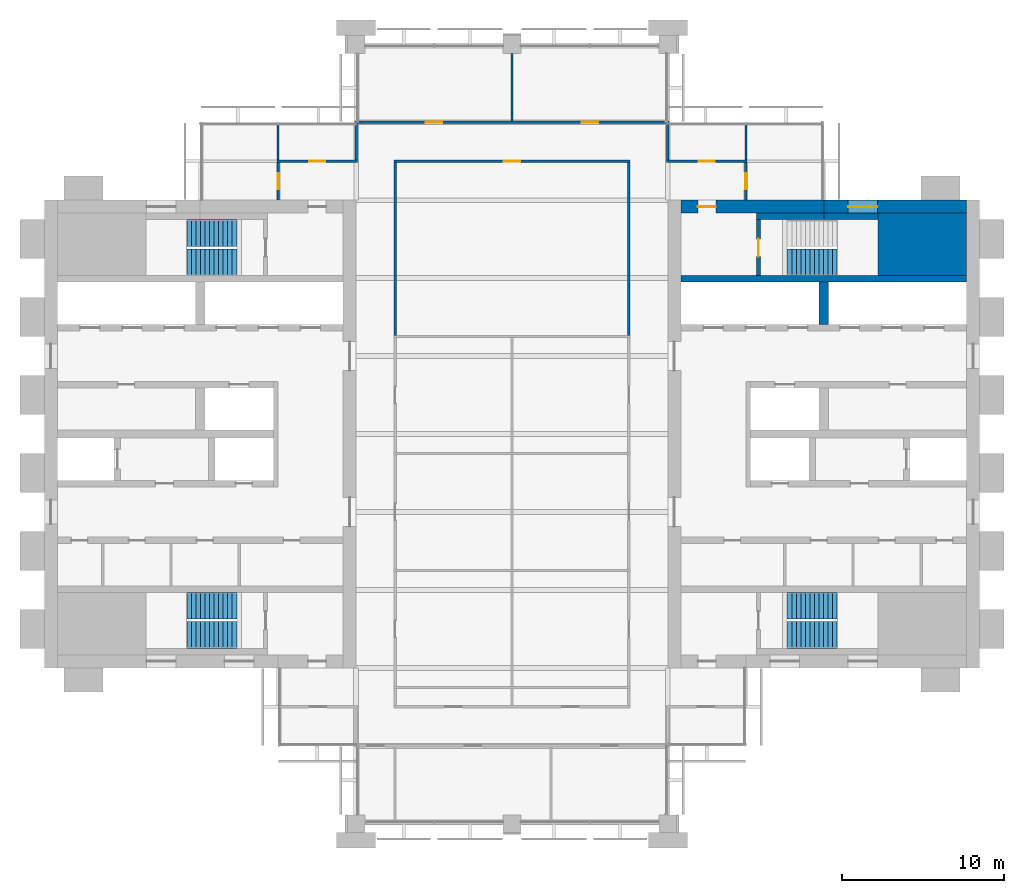
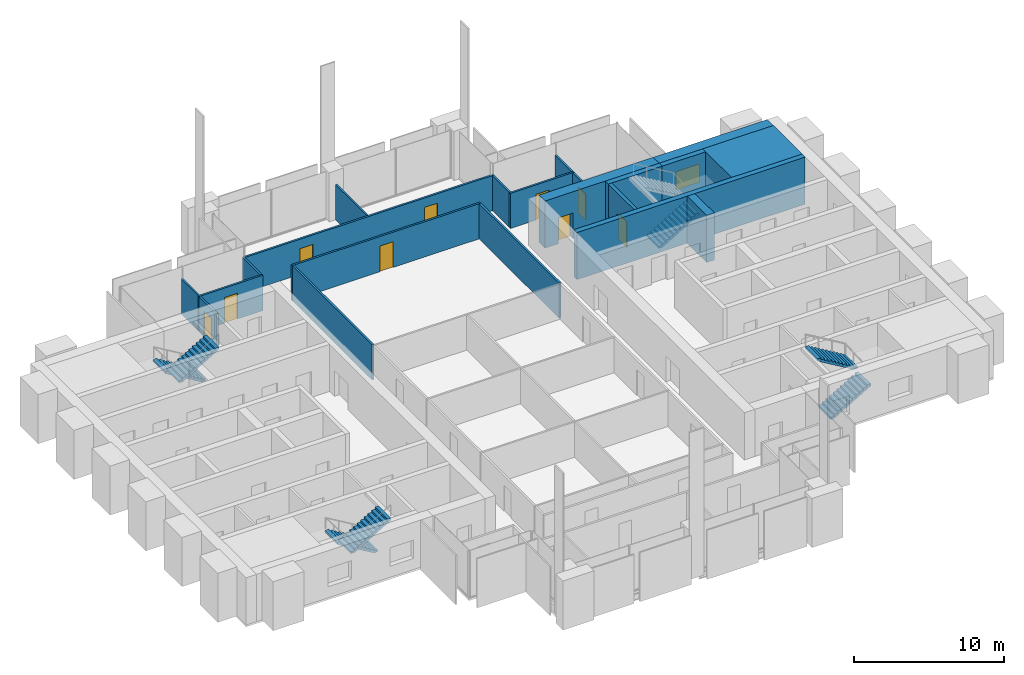
# One storey, part 11 of 13: 21 walls, 9 doors, 7 stair flights, 1 window, 10 openings, 4 elements without a shape of their own.
"""IFC4 building model written with IfcOpenShell, lengths in metres."""

from ifc_helpers import new_model, si_unit, direction, frame, frame_2d, origin, place, context, subcontext, project, spatial, polyline, rectangle, outline, extrude, material, layer, layer_set, type_object, element, fill, aggregate, save


model = new_model("IFC4")

# Units and contexts
model_context = context("Model", 3, precision=1e-05, world=origin(), true_north=direction((0.0, 1.0)))
body_context = subcontext(model_context, "Body", "Model", "MODEL_VIEW")
ifc_project = project(units=[si_unit("LENGTHUNIT", "METRE"), si_unit("AREAUNIT", "SQUARE_METRE"), si_unit("VOLUMEUNIT", "CUBIC_METRE"), si_unit("PLANEANGLEUNIT", "RADIAN"), si_unit("MASSUNIT", "GRAM", prefix="KILO")], contexts=[model_context])

# Site, building, storey
site_placement = place(None, origin())
site = spatial("IfcSite", under=ifc_project, at=site_placement, CompositionType="ELEMENT")
building_placement = place(site_placement, origin())
building = spatial("IfcBuilding", under=site, at=building_placement, Name="Baori Bourse Tower", CompositionType="ELEMENT")
storey_placement = place(building_placement, frame((0.0, 0.0, 237.199951171875)))
storey = spatial("IfcBuildingStorey", under=building, at=storey_placement, Name="L52", CompositionType="ELEMENT", Elevation=237.199951171875)

# Wall
ifc_material_1 = material(Name="Concrete f'c 50 MPa", Category="concrete")
wall_type_1 = type_object("IfcWallType", Name="Core corner block f'c 50", PredefinedType="SHEAR", material=ifc_material_1)
wall_1_placement = place(storey_placement, frame((51.35009765625, 35.675048828125, 0.0), z_axis=(0.0, 0.0, 1.0), x_axis=(1.0, 0.0, 0.0)))
element("IfcWall", 1, at=wall_1_placement, inside=storey, type_object=wall_type_1, Name="Core wall E23", PredefinedType="SHEAR", context=body_context, shape_type="SweptSolid", body=[
    extrude(rectangle(XDim=5.449951171875, YDim=3.85009765625, at=frame_2d((2.72509765625, 0.0))), origin(), (0.0, 0.0, 1.0), 3.840087890625),
])

# Wall, opening, window
ifc_material_2 = material(Name="Concrete f'c 50 MPa", Category="concrete")
ifc_layer_1 = layer(ifc_material_2, 0.800048828125)
ifc_layer_set_1 = layer_set([ifc_layer_1], Name="Core wall 800 f'c 50")
wall_type_2 = type_object("IfcWallType", Name="Core wall 800 f'c 50", PredefinedType="SHEAR", material=ifc_layer_set_1)
wall_2_placement = place(storey_placement, frame((48.0, 38.0, 0.0), z_axis=(0.0, 0.0, 1.0), x_axis=(1.0, 0.0, 0.0)))
wall_2 = element("IfcWall", 2, at=wall_2_placement, inside=storey, type_object=wall_type_2, Name="Core wall E27", PredefinedType="SHEAR", context=body_context, shape_type="SweptSolid", body=[
    extrude(rectangle(XDim=8.800048828125, YDim=0.800048828125, at=frame_2d((4.39990234375, 0.0))), origin(), (0.0, 0.0, 1.0), 3.840087890625),
])
opening_1_placement = place(wall_2_placement, frame((1.5, 0.0, 0.89990234375)))
opening_1 = element("IfcOpeningElement", 3, at=opening_1_placement, cuts=wall_2, Name="Opening L52-KW205", PredefinedType="OPENING", context=body_context, shape_type="SweptSolid", body=[
    extrude(rectangle(XDim=1.800048828125, YDim=1.5, at=frame_2d((0.89990234375, 0.75))), frame((0.0, 0.409912109375, 0.0), z_axis=(0.0, -1.0, 0.0), x_axis=(1.0, 0.0, 0.0)), (0.0, 0.0, 1.0), 0.820068359375),
])
ifc_material_3 = material(Name="Pale anodised aluminium", Category="aluminium")
window_type = type_object("IfcWindowType", Name="Stair window 1800 x 1500", PartitioningType="SINGLE_PANEL", PredefinedType="WINDOW", material=ifc_material_3)
window_placement = place(opening_1_placement, origin())
window = element("IfcWindow", 4, at=window_placement, inside=storey, type_object=window_type, Name="Stair window E L52 5", OverallHeight=1.5, OverallWidth=1.800048828125, PartitioningType="SINGLE_PANEL", PredefinedType="WINDOW", context=body_context, shape_type="SweptSolid", body=[
    extrude(rectangle(XDim=1.800048828125, YDim=1.5, at=frame_2d((0.89990234375, 0.75))), frame((0.0, 0.030029296875, 0.0), z_axis=(0.0, -1.0, 0.0), x_axis=(1.0, 0.0, 0.0)), (0.0, 0.0, 1.0), 0.06005859375),
])
fill(opening_1, window)

# Wall, opening, door
wall_3_placement = place(storey_placement, frame((39.199951171875, 38.0, 0.0), z_axis=(0.0, 0.0, 1.0), x_axis=(1.0, 0.0, 0.0)))
wall_3 = element("IfcWall", 5, at=wall_3_placement, inside=storey, type_object=wall_type_2, Name="Core wall E28", PredefinedType="SHEAR", context=body_context, shape_type="SweptSolid", body=[
    extrude(rectangle(XDim=8.800048828125, YDim=0.800048828125, at=frame_2d((4.39990234375, 0.0))), origin(), (0.0, 0.0, 1.0), 3.840087890625),
])
opening_2_placement = place(wall_3_placement, frame((1.050048828125, 0.0, 0.0)))
opening_2 = element("IfcOpeningElement", 6, at=opening_2_placement, cuts=wall_3, Name="Opening L52-D204", PredefinedType="OPENING", context=body_context, shape_type="SweptSolid", body=[
    extrude(rectangle(XDim=1.10009765625, YDim=2.10009765625, at=frame_2d((0.550048828125, 1.050048828125))), frame((0.0, 0.409912109375, 0.0), z_axis=(0.0, -1.0, 0.0), x_axis=(1.0, 0.0, 0.0)), (0.0, 0.0, 1.0), 0.820068359375),
])
ifc_material_4 = material(Name="Painted steel door", Category="steel")
door_type_1 = type_object("IfcDoorType", Name="Stair door 1100", OperationType="SINGLE_SWING_LEFT", PredefinedType="DOOR", material=ifc_material_4)
door_1_placement = place(opening_2_placement, origin())
door_1 = element("IfcDoor", 7, at=door_1_placement, inside=storey, type_object=door_type_1, Name="Stair vestibule door B E L52", OperationType="SINGLE_SWING_LEFT", OverallHeight=2.10009765625, OverallWidth=1.10009765625, PredefinedType="DOOR", context=body_context, shape_type="SweptSolid", body=[
    extrude(rectangle(XDim=1.10009765625, YDim=2.10009765625, at=frame_2d((0.550048828125, 1.050048828125))), frame((0.0, 0.02490234375, 0.0), z_axis=(0.0, -1.0, 0.0), x_axis=(1.0, 0.0, 0.0)), (0.0, 0.0, 1.0), 0.050048828125),
])
fill(opening_2, door_1)

ifc_material_5 = material(Name="Gypsum board partition")
ifc_layer_2 = layer(ifc_material_5, 0.14990234375)
ifc_layer_set_2 = layer_set([ifc_layer_2], Name="Corridor partition 150")
wall_type_3 = type_object("IfcWallType", Name="Corridor partition 150", PredefinedType="PARTITIONING", material=ifc_layer_set_2)
wall_4_placement = place(storey_placement, frame((14.324951171875, 40.800048828125, 0.0), z_axis=(0.0, 0.0, 1.0), x_axis=(1.0, 0.0, 0.0)))
wall_4 = element("IfcWall", 8, at=wall_4_placement, inside=storey, type_object=wall_type_3, Name="Partition", PredefinedType="PARTITIONING", context=body_context, shape_type="SweptSolid", body=[
    extrude(rectangle(XDim=4.949951171875, YDim=0.14990234375, at=frame_2d((2.47509765625, 0.0))), origin(), (0.0, 0.0, 1.0), 2.869873046875),
])
opening_3_placement = place(wall_4_placement, frame((1.97509765625, 0.0, 0.0)))
opening_3 = element("IfcOpeningElement", 9, at=opening_3_placement, cuts=wall_4, Name="Opening L52-D08", PredefinedType="OPENING", context=body_context, shape_type="SweptSolid", body=[
    extrude(rectangle(XDim=1.0, YDim=2.10009765625, at=frame_2d((0.5, 1.050048828125))), frame((0.0, 0.0849609375, 0.0), z_axis=(0.0, -1.0, 0.0), x_axis=(1.0, 0.0, 0.0)), (0.0, 0.0, 1.0), 0.169921875),
])
ifc_material_6 = material(Name="Timber door leaf", Category="wood")
door_type_2 = type_object("IfcDoorType", Name="Door 1000 x 2100", OperationType="SINGLE_SWING_LEFT", PredefinedType="DOOR", material=ifc_material_6)
door_2_placement = place(opening_3_placement, origin())
door_2 = element("IfcDoor", 10, at=door_2_placement, inside=storey, type_object=door_type_2, Name="Door", OperationType="SINGLE_SWING_LEFT", OverallHeight=2.10009765625, OverallWidth=1.0, PredefinedType="DOOR", context=body_context, shape_type="SweptSolid", body=[
    extrude(rectangle(XDim=1.0, YDim=2.10009765625, at=frame_2d((0.5, 1.050048828125))), frame((0.0, 0.02490234375, 0.0), z_axis=(0.0, -1.0, 0.0), x_axis=(1.0, 0.0, 0.0)), (0.0, 0.0, 1.0), 0.050048828125),
])
fill(opening_3, door_2)

wall_5_placement = place(storey_placement, frame((21.52490234375, 40.800048828125, 0.0), z_axis=(0.0, 0.0, 1.0), x_axis=(1.0, 0.0, 0.0)))
wall_5 = element("IfcWall", 11, at=wall_5_placement, inside=storey, type_object=wall_type_3, Name="Partition", PredefinedType="PARTITIONING", context=body_context, shape_type="SweptSolid", body=[
    extrude(rectangle(XDim=14.550048828125, YDim=0.14990234375, at=frame_2d((7.27490234375, 0.0))), origin(), (0.0, 0.0, 1.0), 2.869873046875),
])
opening_4_placement = place(wall_5_placement, frame((6.77490234375, 0.0, 0.0)))
opening_4 = element("IfcOpeningElement", 12, at=opening_4_placement, cuts=wall_5, Name="Opening L52-D09", PredefinedType="OPENING", context=body_context, shape_type="SweptSolid", body=[
    extrude(rectangle(XDim=1.0, YDim=2.10009765625, at=frame_2d((0.5, 1.050048828125))), frame((0.0, 0.0849609375, 0.0), z_axis=(0.0, -1.0, 0.0), x_axis=(1.0, 0.0, 0.0)), (0.0, 0.0, 1.0), 0.169921875),
])
door_3_placement = place(opening_4_placement, origin())
door_3 = element("IfcDoor", 13, at=door_3_placement, inside=storey, type_object=door_type_2, Name="Door", OperationType="SINGLE_SWING_LEFT", OverallHeight=2.10009765625, OverallWidth=1.0, PredefinedType="DOOR", context=body_context, shape_type="SweptSolid", body=[
    extrude(rectangle(XDim=1.0, YDim=2.10009765625, at=frame_2d((0.5, 1.050048828125))), frame((0.0, 0.02490234375, 0.0), z_axis=(0.0, -1.0, 0.0), x_axis=(1.0, 0.0, 0.0)), (0.0, 0.0, 1.0), 0.050048828125),
])
fill(opening_4, door_3)

wall_6_placement = place(storey_placement, frame((38.324951171875, 40.800048828125, 0.0), z_axis=(0.0, 0.0, 1.0), x_axis=(1.0, 0.0, 0.0)))
wall_6 = element("IfcWall", 14, at=wall_6_placement, inside=storey, type_object=wall_type_3, Name="Partition", PredefinedType="PARTITIONING", context=body_context, shape_type="SweptSolid", body=[
    extrude(rectangle(XDim=4.949951171875, YDim=0.14990234375, at=frame_2d((2.47509765625, 0.0))), origin(), (0.0, 0.0, 1.0), 2.869873046875),
])
opening_5_placement = place(wall_6_placement, frame((1.97509765625, 0.0, 0.0)))
opening_5 = element("IfcOpeningElement", 15, at=opening_5_placement, cuts=wall_6, Name="Opening L52-D10", PredefinedType="OPENING", context=body_context, shape_type="SweptSolid", body=[
    extrude(rectangle(XDim=1.0, YDim=2.10009765625, at=frame_2d((0.5, 1.050048828125))), frame((0.0, 0.0849609375, 0.0), z_axis=(0.0, -1.0, 0.0), x_axis=(1.0, 0.0, 0.0)), (0.0, 0.0, 1.0), 0.169921875),
])
door_4_placement = place(opening_5_placement, origin())
door_4 = element("IfcDoor", 16, at=door_4_placement, inside=storey, type_object=door_type_2, Name="Door", OperationType="SINGLE_SWING_RIGHT", OverallHeight=2.10009765625, OverallWidth=1.0, PredefinedType="DOOR", context=body_context, shape_type="SweptSolid", body=[
    extrude(rectangle(XDim=1.0, YDim=2.10009765625, at=frame_2d((0.5, 1.050048828125))), frame((0.0, 0.02490234375, 0.0), z_axis=(0.0, -1.0, 0.0), x_axis=(1.0, 0.0, 0.0)), (0.0, 0.0, 1.0), 0.050048828125),
])
fill(opening_5, door_4)

# Wall, openings, doors
wall_7_placement = place(storey_placement, frame((19.125, 43.199951171875, 0.0), z_axis=(0.0, 0.0, 1.0), x_axis=(1.0, 0.0, 0.0)))
wall_7 = element("IfcWall", 17, at=wall_7_placement, inside=storey, type_object=wall_type_3, Name="Partition", PredefinedType="PARTITIONING", context=body_context, shape_type="SweptSolid", body=[
    extrude(rectangle(XDim=19.35009765625, YDim=0.14990234375, at=frame_2d((9.675048828125, 0.0))), origin(), (0.0, 0.0, 1.0), 2.869873046875),
])
opening_6_placement = place(wall_7_placement, frame((4.375, 0.0, 0.0)))
opening_6 = element("IfcOpeningElement", 18, at=opening_6_placement, cuts=wall_7, Name="Opening L52-D11", PredefinedType="OPENING", context=body_context, shape_type="SweptSolid", body=[
    extrude(rectangle(XDim=1.0, YDim=2.10009765625, at=frame_2d((0.5, 1.050048828125))), frame((0.0, 0.0849609375, 0.0), z_axis=(0.0, -1.0, 0.0), x_axis=(1.0, 0.0, 0.0)), (0.0, 0.0, 1.0), 0.169921875),
])
opening_7_placement = place(wall_7_placement, frame((13.97509765625, 0.0, 0.0)))
opening_7 = element("IfcOpeningElement", 19, at=opening_7_placement, cuts=wall_7, Name="Opening L52-D12", PredefinedType="OPENING", context=body_context, shape_type="SweptSolid", body=[
    extrude(rectangle(XDim=1.0, YDim=2.10009765625, at=frame_2d((0.5, 1.050048828125))), frame((0.0, 0.0849609375, 0.0), z_axis=(0.0, -1.0, 0.0), x_axis=(1.0, 0.0, 0.0)), (0.0, 0.0, 1.0), 0.169921875),
])
door_5_placement = place(opening_6_placement, origin())
door_5 = element("IfcDoor", 20, at=door_5_placement, inside=storey, type_object=door_type_2, Name="Door", OperationType="SINGLE_SWING_RIGHT", OverallHeight=2.10009765625, OverallWidth=1.0, PredefinedType="DOOR", context=body_context, shape_type="SweptSolid", body=[
    extrude(rectangle(XDim=1.0, YDim=2.10009765625, at=frame_2d((0.5, 1.050048828125))), frame((0.0, 0.02490234375, 0.0), z_axis=(0.0, -1.0, 0.0), x_axis=(1.0, 0.0, 0.0)), (0.0, 0.0, 1.0), 0.050048828125),
])
fill(opening_6, door_5)
door_6_placement = place(opening_7_placement, origin())
door_6 = element("IfcDoor", 21, at=door_6_placement, inside=storey, type_object=door_type_2, Name="Door", OperationType="SINGLE_SWING_LEFT", OverallHeight=2.10009765625, OverallWidth=1.0, PredefinedType="DOOR", context=body_context, shape_type="SweptSolid", body=[
    extrude(rectangle(XDim=1.0, YDim=2.10009765625, at=frame_2d((0.5, 1.050048828125))), frame((0.0, 0.02490234375, 0.0), z_axis=(0.0, -1.0, 0.0), x_axis=(1.0, 0.0, 0.0)), (0.0, 0.0, 1.0), 0.050048828125),
])
fill(opening_7, door_6)

# Wall, opening, door
wall_8_placement = place(storey_placement, frame((14.39990234375, 38.39990234375, 0.0), z_axis=(0.0, 0.0, 1.0), x_axis=(0.0, 1.0, 0.0)))
wall_8 = element("IfcWall", 22, at=wall_8_placement, inside=storey, type_object=wall_type_3, Name="Partition", PredefinedType="PARTITIONING", context=body_context, shape_type="SweptSolid", body=[
    extrude(rectangle(XDim=2.3251953125, YDim=0.14990234375, at=frame_2d((1.16259765625, 0.0))), origin(), (0.0, 0.0, 1.0), 2.869873046875),
])
opening_8_placement = place(wall_8_placement, frame((0.66259765625, 0.0, 0.0)))
opening_8 = element("IfcOpeningElement", 23, at=opening_8_placement, cuts=wall_8, Name="Opening L52-D13", PredefinedType="OPENING", context=body_context, shape_type="SweptSolid", body=[
    extrude(rectangle(XDim=1.0, YDim=2.10009765625, at=frame_2d((0.5, 1.050048828125))), frame((0.0, 0.0849609375, 0.0), z_axis=(0.0, -1.0, 0.0), x_axis=(1.0, 0.0, 0.0)), (0.0, 0.0, 1.0), 0.169921875),
])
door_7_placement = place(opening_8_placement, origin())
door_7 = element("IfcDoor", 24, at=door_7_placement, inside=storey, type_object=door_type_2, Name="Door", OperationType="SINGLE_SWING_RIGHT", OverallHeight=2.10009765625, OverallWidth=1.0, PredefinedType="DOOR", context=body_context, shape_type="SweptSolid", body=[
    extrude(rectangle(XDim=1.0, YDim=2.10009765625, at=frame_2d((0.5, 1.050048828125))), frame((0.0, 0.02490234375, 0.0), z_axis=(0.0, -1.0, 0.0), x_axis=(1.0, 0.0, 0.0)), (0.0, 0.0, 1.0), 0.050048828125),
])
fill(opening_8, door_7)

# Walls
wall_9_placement = place(storey_placement, frame((19.199951171875, 40.875, 0.0), z_axis=(0.0, 0.0, 1.0), x_axis=(0.0, 1.0, 0.0)))
element("IfcWall", 25, at=wall_9_placement, inside=storey, type_object=wall_type_3, Name="Partition", PredefinedType="PARTITIONING", context=body_context, shape_type="SweptSolid", body=[
    extrude(rectangle(XDim=2.25, YDim=0.14990234375, at=frame_2d((1.125, 0.0))), origin(), (0.0, 0.0, 1.0), 2.869873046875),
])
for number, where, z_axis, x_axis, name in (
    (26, (21.60009765625, 30.0625, 0.0), (0.0, 0.0, 1.0), (0.0, 1.0, 0.0), "Partition"),
    (27, (36.0, 30.0625, 0.0), (0.0, 0.0, 1.0), (0.0, 1.0, 0.0), "Partition"),
):
    element("IfcWall", number, at=place(storey_placement, frame(where, z_axis=z_axis, x_axis=x_axis)), inside=storey, type_object=wall_type_3, Name=name, PredefinedType="PARTITIONING", context=body_context, shape_type="SweptSolid", body=[
        extrude(rectangle(XDim=10.66259765625, YDim=0.14990234375, at=frame_2d((5.331298828125, 0.0))), origin(), (0.0, 0.0, 1.0), 2.869873046875),
    ])
wall_10_placement = place(storey_placement, frame((38.39990234375, 40.875, 0.0), z_axis=(0.0, 0.0, 1.0), x_axis=(0.0, 1.0, 0.0)))
element("IfcWall", 28, at=wall_10_placement, inside=storey, type_object=wall_type_3, Name="Partition", PredefinedType="PARTITIONING", context=body_context, shape_type="SweptSolid", body=[
    extrude(rectangle(XDim=2.25, YDim=0.14990234375, at=frame_2d((1.125, 0.0))), origin(), (0.0, 0.0, 1.0), 2.869873046875),
])

# Wall, opening, door
wall_11_placement = place(storey_placement, frame((43.199951171875, 38.39990234375, 0.0), z_axis=(0.0, 0.0, 1.0), x_axis=(0.0, 1.0, 0.0)))
wall_11 = element("IfcWall", 29, at=wall_11_placement, inside=storey, type_object=wall_type_3, Name="Partition", PredefinedType="PARTITIONING", context=body_context, shape_type="SweptSolid", body=[
    extrude(rectangle(XDim=2.3251953125, YDim=0.14990234375, at=frame_2d((1.16259765625, 0.0))), origin(), (0.0, 0.0, 1.0), 2.869873046875),
])
opening_9_placement = place(wall_11_placement, frame((0.66259765625, 0.0, 0.0)))
opening_9 = element("IfcOpeningElement", 30, at=opening_9_placement, cuts=wall_11, Name="Opening L52-D20", PredefinedType="OPENING", context=body_context, shape_type="SweptSolid", body=[
    extrude(rectangle(XDim=1.0, YDim=2.10009765625, at=frame_2d((0.5, 1.050048828125))), frame((0.0, 0.0849609375, 0.0), z_axis=(0.0, -1.0, 0.0), x_axis=(1.0, 0.0, 0.0)), (0.0, 0.0, 1.0), 0.169921875),
])
door_8_placement = place(opening_9_placement, origin())
door_8 = element("IfcDoor", 31, at=door_8_placement, inside=storey, type_object=door_type_2, Name="Door", OperationType="SINGLE_SWING_LEFT", OverallHeight=2.10009765625, OverallWidth=1.0, PredefinedType="DOOR", context=body_context, shape_type="SweptSolid", body=[
    extrude(rectangle(XDim=1.0, YDim=2.10009765625, at=frame_2d((0.5, 1.050048828125))), frame((0.0, 0.02490234375, 0.0), z_axis=(0.0, -1.0, 0.0), x_axis=(1.0, 0.0, 0.0)), (0.0, 0.0, 1.0), 0.050048828125),
])
fill(opening_9, door_8)

# Walls
ifc_material_7 = material(Name="Gypsum board partition")
ifc_layer_3 = layer(ifc_material_7, 0.125)
ifc_layer_set_3 = layer_set([ifc_layer_3], Name="Partition 125")
wall_type_4 = type_object("IfcWallType", Name="Partition 125", PredefinedType="PARTITIONING", material=ifc_layer_set_3)
wall_12_placement = place(storey_placement, frame((14.39990234375, 40.875, 0.0), z_axis=(0.0, 0.0, 1.0), x_axis=(0.0, 1.0, 0.0)))
element("IfcWall", 32, at=wall_12_placement, inside=storey, type_object=wall_type_4, Name="Partition", PredefinedType="PARTITIONING", context=body_context, shape_type="SweptSolid", body=[
    extrude(rectangle(XDim=2.22509765625, YDim=0.125, at=frame_2d((1.112548828125, 0.0))), origin(), (0.0, 0.0, 1.0), 2.869873046875),
])
wall_13_placement = place(storey_placement, frame((28.800048828125, 43.27490234375, 0.0), z_axis=(0.0, 0.0, 1.0), x_axis=(0.0, 1.0, 0.0)))
element("IfcWall", 33, at=wall_13_placement, inside=storey, type_object=wall_type_4, Name="Partition", PredefinedType="PARTITIONING", context=body_context, shape_type="SweptSolid", body=[
    extrude(rectangle(XDim=4.175048828125, YDim=0.125, at=frame_2d((2.08740234375, 0.0))), origin(), (0.0, 0.0, 1.0), 2.869873046875),
])
wall_14_placement = place(storey_placement, frame((43.199951171875, 40.875, 0.0), z_axis=(0.0, 0.0, 1.0), x_axis=(0.0, 1.0, 0.0)))
element("IfcWall", 34, at=wall_14_placement, inside=storey, type_object=wall_type_4, Name="Partition", PredefinedType="PARTITIONING", context=body_context, shape_type="SweptSolid", body=[
    extrude(rectangle(XDim=2.22509765625, YDim=0.125, at=frame_2d((1.112548828125, 0.0))), origin(), (0.0, 0.0, 1.0), 2.869873046875),
])

# Wall, opening, door
ifc_material_8 = material(Name="Concrete f'c 50 MPa", Category="concrete")
ifc_layer_4 = layer(ifc_material_8, 0.25)
ifc_layer_set_4 = layer_set([ifc_layer_4], Name="Shaft wall 250 f'c 50")
wall_type_5 = type_object("IfcWallType", Name="Shaft wall 250 f'c 50", PredefinedType="SHEAR", material=ifc_layer_set_4)
wall_15_placement = place(storey_placement, frame((43.97509765625, 33.75, 0.0), z_axis=(0.0, 0.0, 1.0), x_axis=(0.0, 1.0, 0.0)))
wall_15 = element("IfcWall", 35, at=wall_15_placement, inside=storey, type_object=wall_type_5, Name="Core wall E24", PredefinedType="SHEAR", context=body_context, shape_type="SweptSolid", body=[
    extrude(rectangle(XDim=3.449951171875, YDim=0.25, at=frame_2d((1.72509765625, 0.0))), origin(), (0.0, 0.0, 1.0), 3.840087890625),
])
opening_10_placement = place(wall_15_placement, frame((1.175048828125, 0.0, 0.0)))
opening_10 = element("IfcOpeningElement", 36, at=opening_10_placement, cuts=wall_15, Name="Opening L52-D203", PredefinedType="OPENING", context=body_context, shape_type="SweptSolid", body=[
    extrude(rectangle(XDim=1.10009765625, YDim=2.10009765625, at=frame_2d((0.550048828125, 1.050048828125))), frame((0.0, 0.135009765625, 0.0), z_axis=(0.0, -1.0, 0.0), x_axis=(1.0, 0.0, 0.0)), (0.0, 0.0, 1.0), 0.27001953125),
])
door_9_placement = place(opening_10_placement, origin())
door_9 = element("IfcDoor", 37, at=door_9_placement, inside=storey, type_object=door_type_1, Name="Stair door B E L52", OperationType="SINGLE_SWING_LEFT", OverallHeight=2.10009765625, OverallWidth=1.10009765625, PredefinedType="DOOR", context=body_context, shape_type="SweptSolid", body=[
    extrude(rectangle(XDim=1.10009765625, YDim=2.10009765625, at=frame_2d((0.550048828125, 1.050048828125))), frame((0.0, 0.02490234375, 0.0), z_axis=(0.0, -1.0, 0.0), x_axis=(1.0, 0.0, 0.0)), (0.0, 0.0, 1.0), 0.050048828125),
])
fill(opening_10, door_9)

# Walls
ifc_material_9 = material(Name="Concrete f'c 50 MPa", Category="concrete")
ifc_layer_5 = layer(ifc_material_9, 0.39990234375)
ifc_layer_set_5 = layer_set([ifc_layer_5], Name="Shaft wall 400 f'c 50")
wall_type_6 = type_object("IfcWallType", Name="Shaft wall 400 f'c 50", PredefinedType="SHEAR", material=ifc_layer_set_5)
wall_16_placement = place(storey_placement, frame((39.199951171875, 33.550048828125, 0.0), z_axis=(0.0, 0.0, 1.0), x_axis=(1.0, 0.0, 0.0)))
element("IfcWall", 38, at=wall_16_placement, inside=storey, type_object=wall_type_6, Name="Core wall E22", PredefinedType="SHEAR", context=body_context, shape_type="SweptSolid", body=[
    extrude(rectangle(XDim=17.60009765625, YDim=0.39990234375, at=frame_2d((8.800048828125, 0.0))), origin(), (0.0, 0.0, 1.0), 3.840087890625),
])
wall_17_placement = place(storey_placement, frame((48.0, 37.39990234375, 0.0), z_axis=(0.0, 0.0, 1.0), x_axis=(1.0, 0.0, 0.0)))
element("IfcWall", 39, at=wall_17_placement, inside=storey, type_object=wall_type_6, Name="Core wall E25", PredefinedType="SHEAR", context=body_context, shape_type="SweptSolid", body=[
    extrude(rectangle(XDim=3.35009765625, YDim=0.39990234375, at=frame_2d((1.675048828125, 0.0))), origin(), (0.0, 0.0, 1.0), 3.840087890625),
])
wall_18_placement = place(storey_placement, frame((43.85009765625, 37.39990234375, 0.0), z_axis=(0.0, 0.0, 1.0), x_axis=(1.0, 0.0, 0.0)))
element("IfcWall", 40, at=wall_18_placement, inside=storey, type_object=wall_type_6, Name="Core wall E26", PredefinedType="SHEAR", context=body_context, shape_type="SweptSolid", body=[
    extrude(rectangle(XDim=4.14990234375, YDim=0.39990234375, at=frame_2d((2.074951171875, 0.0))), origin(), (0.0, 0.0, 1.0), 3.840087890625),
])
ifc_material_10 = material(Name="Concrete f'c 50 MPa", Category="concrete")
ifc_layer_6 = layer(ifc_material_10, 0.60009765625)
ifc_layer_set_6 = layer_set([ifc_layer_6], Name="Shaft wall 600 f'c 50")
wall_type_7 = type_object("IfcWallType", Name="Shaft wall 600 f'c 50", PredefinedType="SHEAR", material=ifc_layer_set_6)
wall_19_placement = place(storey_placement, frame((48.0, 30.75, 0.0), z_axis=(0.0, 0.0, 1.0), x_axis=(0.0, 1.0, 0.0)))
element("IfcWall", 41, at=wall_19_placement, inside=storey, type_object=wall_type_7, Name="Core wall E21", PredefinedType="SHEAR", context=body_context, shape_type="SweptSolid", body=[
    extrude(rectangle(XDim=2.60009765625, YDim=0.60009765625, at=frame_2d((1.300048828125, 0.0))), origin(), (0.0, 0.0, 1.0), 3.840087890625),
])

# Stair, stair flights
ifc_material_11 = material(Name="Concrete f'c 50 MPa", Category="concrete")
stair_type = type_object("IfcStairType", Name="Core stair", PredefinedType="HALF_TURN_STAIR", material=ifc_material_11)
stair_1_placement = place(storey_placement, origin())
stair_1 = element("IfcStair", 42, at=stair_1_placement, inside=storey, type_object=stair_type, Name="L52 Stair WA", PredefinedType="HALF_TURN_STAIR")
ifc_material_12 = material(Name="Concrete f'c 50 MPa", Category="concrete")
stair_flight_type = type_object("IfcStairFlightType", Name="Core stair flight", PredefinedType="STRAIGHT", material=ifc_material_12)
stair_flight_1_placement = place(storey_placement, frame((11.85009765625, 13.425048828125, 0.0), z_axis=(0.0, 0.0, 1.0), x_axis=(-1.0, 0.0, 0.0)))
stair_flight_1 = element("IfcStairFlight", 43, at=stair_flight_1_placement, type_object=stair_flight_type, Name="ST1 flight 1", NumberOfRisers=12, NumberOfTreads=11, PredefinedType="STRAIGHT", RiserHeight=0.166666667, TreadLength=0.28, context=body_context, shape_type="SweptSolid", body=[
    extrude(outline(polyline([(0.0, 0.0), (0.0, 0.166748046875), (0.280029296875, 0.166748046875), (0.280029296875, 0.333251953125), (0.56005859375, 0.333251953125), (0.56005859375, 0.5), (0.840087890625, 0.5), (0.840087890625, 0.666748046875), (1.1201171875, 0.666748046875), (1.1201171875, 0.833251953125), (1.39990234375, 0.833251953125), (1.39990234375, 1.0), (1.679931640625, 1.0), (1.679931640625, 1.166748046875), (1.9599609375, 1.166748046875), (1.9599609375, 1.333251953125), (2.239990234375, 1.333251953125), (2.239990234375, 1.5), (2.52001953125, 1.5), (2.52001953125, 1.666748046875), (2.800048828125, 1.666748046875), (2.800048828125, 1.833251953125), (3.080078125, 1.833251953125), (3.080078125, 2.0), (3.080078125, 1.658935546875), (0.29296875, 0.0), (0.0, 0.0)])), frame((0.0, 0.824951171875, 0.0), z_axis=(0.0, -1.0, 0.0), x_axis=(1.0, 0.0, 0.0)), (0.0, 0.0, 1.0), 1.64990234375),
])
stair_flight_2_placement = place(storey_placement, frame((8.77001953125, 11.625, 2.0), z_axis=(0.0, 0.0, 1.0), x_axis=(1.0, 0.0, 0.0)))
stair_flight_2 = element("IfcStairFlight", 44, at=stair_flight_2_placement, type_object=stair_flight_type, Name="ST1 flight 2", NumberOfRisers=12, NumberOfTreads=11, PredefinedType="STRAIGHT", RiserHeight=0.166666667, TreadLength=0.28, context=body_context, shape_type="SweptSolid", body=[
    extrude(outline(polyline([(0.0, 0.0), (0.0, 0.166748046875), (0.280029296875, 0.166748046875), (0.280029296875, 0.333251953125), (0.56005859375, 0.333251953125), (0.56005859375, 0.5), (0.840087890625, 0.5), (0.840087890625, 0.666748046875), (1.1201171875, 0.666748046875), (1.1201171875, 0.833251953125), (1.39990234375, 0.833251953125), (1.39990234375, 1.0), (1.679931640625, 1.0), (1.679931640625, 1.166748046875), (1.9599609375, 1.166748046875), (1.9599609375, 1.333251953125), (2.239990234375, 1.333251953125), (2.239990234375, 1.5), (2.52001953125, 1.5), (2.52001953125, 1.666748046875), (2.800048828125, 1.666748046875), (2.800048828125, 1.833251953125), (3.080078125, 1.833251953125), (3.080078125, 2.0), (3.080078125, 1.658935546875), (0.29296875, 0.0), (0.0, 0.0)])), frame((0.0, 0.824951171875, 0.0), z_axis=(0.0, -1.0, 0.0), x_axis=(1.0, 0.0, 0.0)), (0.0, 0.0, 1.0), 1.64990234375),
])
aggregate(stair_1, [stair_flight_1, stair_flight_2])

stair_2_placement = place(storey_placement, origin())
stair_2 = element("IfcStair", 45, at=stair_2_placement, inside=storey, type_object=stair_type, Name="L52 Stair WB", PredefinedType="HALF_TURN_STAIR")
stair_flight_3_placement = place(storey_placement, frame((11.85009765625, 36.375, 0.0), z_axis=(0.0, 0.0, 1.0), x_axis=(-1.0, 0.0, 0.0)))
stair_flight_3 = element("IfcStairFlight", 46, at=stair_flight_3_placement, type_object=stair_flight_type, Name="ST2 flight 1", NumberOfRisers=12, NumberOfTreads=11, PredefinedType="STRAIGHT", RiserHeight=0.166666667, TreadLength=0.28, context=body_context, shape_type="SweptSolid", body=[
    extrude(outline(polyline([(0.0, 0.0), (0.0, 0.166748046875), (0.280029296875, 0.166748046875), (0.280029296875, 0.333251953125), (0.56005859375, 0.333251953125), (0.56005859375, 0.5), (0.840087890625, 0.5), (0.840087890625, 0.666748046875), (1.1201171875, 0.666748046875), (1.1201171875, 0.833251953125), (1.39990234375, 0.833251953125), (1.39990234375, 1.0), (1.679931640625, 1.0), (1.679931640625, 1.166748046875), (1.9599609375, 1.166748046875), (1.9599609375, 1.333251953125), (2.239990234375, 1.333251953125), (2.239990234375, 1.5), (2.52001953125, 1.5), (2.52001953125, 1.666748046875), (2.800048828125, 1.666748046875), (2.800048828125, 1.833251953125), (3.080078125, 1.833251953125), (3.080078125, 2.0), (3.080078125, 1.658935546875), (0.29296875, 0.0), (0.0, 0.0)])), frame((0.0, 0.824951171875, 0.0), z_axis=(0.0, -1.0, 0.0), x_axis=(1.0, 0.0, 0.0)), (0.0, 0.0, 1.0), 1.64990234375),
])
stair_flight_4_placement = place(storey_placement, frame((8.77001953125, 34.574951171875, 2.0), z_axis=(0.0, 0.0, 1.0), x_axis=(1.0, 0.0, 0.0)))
stair_flight_4 = element("IfcStairFlight", 47, at=stair_flight_4_placement, type_object=stair_flight_type, Name="ST2 flight 2", NumberOfRisers=12, NumberOfTreads=11, PredefinedType="STRAIGHT", RiserHeight=0.166666667, TreadLength=0.28, context=body_context, shape_type="SweptSolid", body=[
    extrude(outline(polyline([(0.0, 0.0), (0.0, 0.166748046875), (0.280029296875, 0.166748046875), (0.280029296875, 0.333251953125), (0.56005859375, 0.333251953125), (0.56005859375, 0.5), (0.840087890625, 0.5), (0.840087890625, 0.666748046875), (1.1201171875, 0.666748046875), (1.1201171875, 0.833251953125), (1.39990234375, 0.833251953125), (1.39990234375, 1.0), (1.679931640625, 1.0), (1.679931640625, 1.166748046875), (1.9599609375, 1.166748046875), (1.9599609375, 1.333251953125), (2.239990234375, 1.333251953125), (2.239990234375, 1.5), (2.52001953125, 1.5), (2.52001953125, 1.666748046875), (2.800048828125, 1.666748046875), (2.800048828125, 1.833251953125), (3.080078125, 1.833251953125), (3.080078125, 2.0), (3.080078125, 1.658935546875), (0.29296875, 0.0), (0.0, 0.0)])), frame((0.0, 0.824951171875, 0.0), z_axis=(0.0, -1.0, 0.0), x_axis=(1.0, 0.0, 0.0)), (0.0, 0.0, 1.0), 1.64990234375),
])
aggregate(stair_2, [stair_flight_3, stair_flight_4])

stair_3_placement = place(storey_placement, origin())
stair_3 = element("IfcStair", 48, at=stair_3_placement, inside=storey, type_object=stair_type, Name="L52 Stair EA", PredefinedType="HALF_TURN_STAIR")
stair_flight_5_placement = place(storey_placement, frame((45.75, 11.625, 0.0), z_axis=(0.0, 0.0, 1.0), x_axis=(1.0, 0.0, 0.0)))
stair_flight_5 = element("IfcStairFlight", 49, at=stair_flight_5_placement, type_object=stair_flight_type, Name="ST3 flight 1", NumberOfRisers=12, NumberOfTreads=11, PredefinedType="STRAIGHT", RiserHeight=0.166666667, TreadLength=0.28, context=body_context, shape_type="SweptSolid", body=[
    extrude(outline(polyline([(0.0, 0.0), (0.0, 0.166748046875), (0.280029296875, 0.166748046875), (0.280029296875, 0.333251953125), (0.56005859375, 0.333251953125), (0.56005859375, 0.5), (0.840087890625, 0.5), (0.840087890625, 0.666748046875), (1.1201171875, 0.666748046875), (1.1201171875, 0.833251953125), (1.39990234375, 0.833251953125), (1.39990234375, 1.0), (1.679931640625, 1.0), (1.679931640625, 1.166748046875), (1.9599609375, 1.166748046875), (1.9599609375, 1.333251953125), (2.239990234375, 1.333251953125), (2.239990234375, 1.5), (2.52001953125, 1.5), (2.52001953125, 1.666748046875), (2.800048828125, 1.666748046875), (2.800048828125, 1.833251953125), (3.080078125, 1.833251953125), (3.080078125, 2.0), (3.080078125, 1.658935546875), (0.29296875, 0.0), (0.0, 0.0)])), frame((0.0, 0.824951171875, 0.0), z_axis=(0.0, -1.0, 0.0), x_axis=(1.0, 0.0, 0.0)), (0.0, 0.0, 1.0), 1.64990234375),
])
stair_flight_6_placement = place(storey_placement, frame((48.830078125, 13.425048828125, 2.0), z_axis=(0.0, 0.0, 1.0), x_axis=(-1.0, 0.0, 0.0)))
stair_flight_6 = element("IfcStairFlight", 50, at=stair_flight_6_placement, type_object=stair_flight_type, Name="ST3 flight 2", NumberOfRisers=12, NumberOfTreads=11, PredefinedType="STRAIGHT", RiserHeight=0.166666667, TreadLength=0.28, context=body_context, shape_type="SweptSolid", body=[
    extrude(outline(polyline([(0.0, 0.0), (0.0, 0.166748046875), (0.280029296875, 0.166748046875), (0.280029296875, 0.333251953125), (0.56005859375, 0.333251953125), (0.56005859375, 0.5), (0.840087890625, 0.5), (0.840087890625, 0.666748046875), (1.1201171875, 0.666748046875), (1.1201171875, 0.833251953125), (1.39990234375, 0.833251953125), (1.39990234375, 1.0), (1.679931640625, 1.0), (1.679931640625, 1.166748046875), (1.9599609375, 1.166748046875), (1.9599609375, 1.333251953125), (2.239990234375, 1.333251953125), (2.239990234375, 1.5), (2.52001953125, 1.5), (2.52001953125, 1.666748046875), (2.800048828125, 1.666748046875), (2.800048828125, 1.833251953125), (3.080078125, 1.833251953125), (3.080078125, 2.0), (3.080078125, 1.658935546875), (0.29296875, 0.0), (0.0, 0.0)])), frame((0.0, 0.824951171875, 0.0), z_axis=(0.0, -1.0, 0.0), x_axis=(1.0, 0.0, 0.0)), (0.0, 0.0, 1.0), 1.64990234375),
])
aggregate(stair_3, [stair_flight_5, stair_flight_6])

# Stair, stair flight
stair_4_placement = place(storey_placement, origin())
stair_4 = element("IfcStair", 51, at=stair_4_placement, inside=storey, type_object=stair_type, Name="L52 Stair EB", PredefinedType="HALF_TURN_STAIR")
stair_flight_7_placement = place(storey_placement, frame((45.75, 34.574951171875, 0.0), z_axis=(0.0, 0.0, 1.0), x_axis=(1.0, 0.0, 0.0)))
stair_flight_7 = element("IfcStairFlight", 52, at=stair_flight_7_placement, type_object=stair_flight_type, Name="ST4 flight 1", NumberOfRisers=12, NumberOfTreads=11, PredefinedType="STRAIGHT", RiserHeight=0.166666667, TreadLength=0.28, context=body_context, shape_type="SweptSolid", body=[
    extrude(outline(polyline([(0.0, 0.0), (0.0, 0.166748046875), (0.280029296875, 0.166748046875), (0.280029296875, 0.333251953125), (0.56005859375, 0.333251953125), (0.56005859375, 0.5), (0.840087890625, 0.5), (0.840087890625, 0.666748046875), (1.1201171875, 0.666748046875), (1.1201171875, 0.833251953125), (1.39990234375, 0.833251953125), (1.39990234375, 1.0), (1.679931640625, 1.0), (1.679931640625, 1.166748046875), (1.9599609375, 1.166748046875), (1.9599609375, 1.333251953125), (2.239990234375, 1.333251953125), (2.239990234375, 1.5), (2.52001953125, 1.5), (2.52001953125, 1.666748046875), (2.800048828125, 1.666748046875), (2.800048828125, 1.833251953125), (3.080078125, 1.833251953125), (3.080078125, 2.0), (3.080078125, 1.658935546875), (0.29296875, 0.0), (0.0, 0.0)])), frame((0.0, 0.824951171875, 0.0), z_axis=(0.0, -1.0, 0.0), x_axis=(1.0, 0.0, 0.0)), (0.0, 0.0, 1.0), 1.64990234375),
])
aggregate(stair_4, [stair_flight_7])

save(model, "model.ifc")
